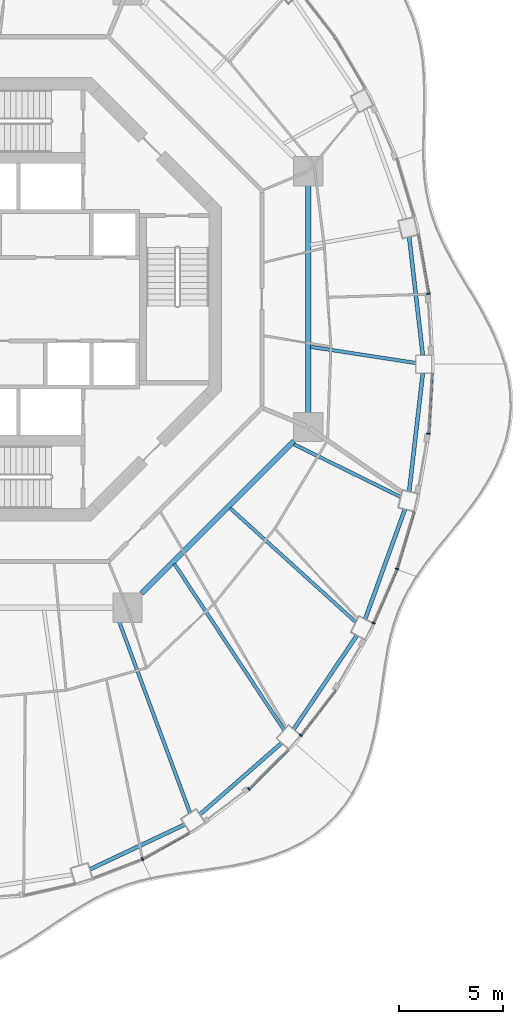
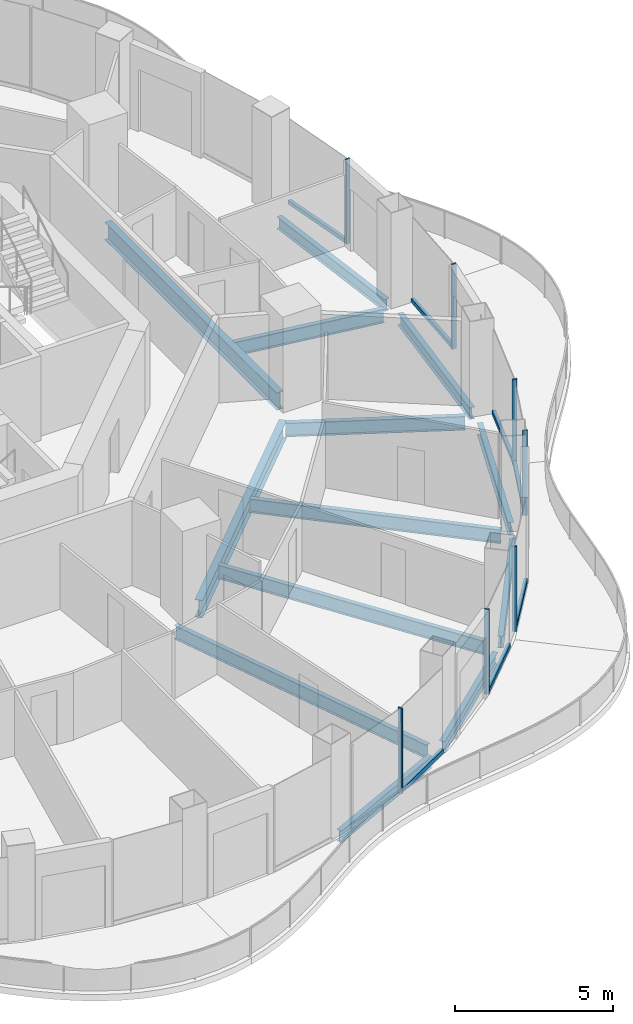
# One storey, part 4 of 17: 14 members, 13 beams, 7 elements without a shape of their own.
"""IFC4 building model written with IfcOpenShell, lengths in metres."""

from ifc_helpers import new_model, si_unit, direction, frame, origin, origin_2d, place, context, subcontext, project, spatial, rectangle, i_section, extrude, material, layer, layer_set, material_profile, profile_set, type_object, element, aggregate, save


model = new_model("IFC4")

# Units and contexts
model_context = context("Model", 3, precision=1e-05, world=origin(), true_north=direction((0.0, 1.0)))
body_context = subcontext(model_context, "Body", "Model", "MODEL_VIEW")
ifc_project = project(units=[si_unit("LENGTHUNIT", "METRE"), si_unit("AREAUNIT", "SQUARE_METRE"), si_unit("VOLUMEUNIT", "CUBIC_METRE"), si_unit("PLANEANGLEUNIT", "RADIAN"), si_unit("MASSUNIT", "GRAM", prefix="KILO")], contexts=[model_context])

# Site, building, storey
site_placement = place(None, origin())
site = spatial("IfcSite", under=ifc_project, at=site_placement, CompositionType="ELEMENT")
building_placement = place(site_placement, origin())
building = spatial("IfcBuilding", under=site, at=building_placement, Name="Nagisa Residences", CompositionType="ELEMENT")
storey_placement = place(building_placement, frame((0.0, 0.0, 295.5)))
storey = spatial("IfcBuildingStorey", under=building, at=storey_placement, Name="L75", CompositionType="ELEMENT", Elevation=295.5)

# Curtain wall, member
ifc_material_1 = material(Name="Concrete-coloured aluminium curtain wall system", Category="concrete")
ifc_layer = layer(ifc_material_1, 0.159912109375)
ifc_layer_set = layer_set([ifc_layer], Name="CW1 CURTAIN WALL")
curtain_wall_type = type_object("IfcCurtainWallType", Name="CW1 CURTAIN WALL", PredefinedType="NOTDEFINED", material=ifc_layer_set)
curtain_wall_1_placement = place(storey_placement, origin())
curtain_wall_1 = element("IfcCurtainWall", 1, at=curtain_wall_1_placement, inside=storey, type_object=curtain_wall_type, Name="cw:CW1:L75:01", PredefinedType="NOTDEFINED")
ifc_material_2 = material(Name="Concrete-coloured aluminium", Category="concrete")
ifc_material_profile_1 = material_profile(ifc_material_2, rectangle(XDim=0.159912109375, YDim=0.06005859375, at=origin_2d()), Name="CW1 MULLION 160x60")
ifc_profile_set_1 = profile_set([ifc_material_profile_1], Name="Concrete-coloured aluminium")
member_type_1 = type_object("IfcMemberType", Name="CW1 MULLION 160x60", PredefinedType="MULLION", material=ifc_profile_set_1)
member_1_placement = place(storey_placement, frame((20.54248046875, 0.2578125, 0.0), z_axis=(0.0, 0.0, 1.0), x_axis=(-0.985063604377, -0.172190868898, 0.0)))
member_1 = element("IfcMember", 2, at=member_1_placement, type_object=member_type_1, Name="CW1 mullion", PredefinedType="MULLION", context=body_context, shape_type="SweptSolid", body=[
    extrude(rectangle(XDim=0.159912109375, YDim=0.06005859375, at=origin_2d()), origin(), (0.0, 0.0, 1.0), 3.280029296875),
])

curtain_wall_2_placement = place(storey_placement, origin())
curtain_wall_2 = element("IfcCurtainWall", 3, at=curtain_wall_2_placement, inside=storey, type_object=curtain_wall_type, Name="cw:CW1:L75:39", PredefinedType="NOTDEFINED")
member_2_placement = place(storey_placement, frame((6.84326171875, -26.81396484375, 0.0), z_axis=(0.0, 0.0, 1.0), x_axis=(-0.489376918501, 0.872072377523, 0.0)))
member_2 = element("IfcMember", 4, at=member_2_placement, type_object=member_type_1, Name="CW1 mullion", PredefinedType="MULLION", context=body_context, shape_type="SweptSolid", body=[
    extrude(rectangle(XDim=0.159912109375, YDim=0.06005859375, at=origin_2d()), origin(), (0.0, 0.0, 1.0), 3.280029296875),
])

curtain_wall_3_placement = place(storey_placement, origin())
curtain_wall_3 = element("IfcCurtainWall", 5, at=curtain_wall_3_placement, inside=storey, type_object=curtain_wall_type, Name="cw:CW1:L75:41", PredefinedType="NOTDEFINED")
member_3_placement = place(storey_placement, frame((11.934814453125, -23.460693359375, 0.0), z_axis=(0.0, 0.0, 1.0), x_axis=(-0.706376885714, 0.707835924016, 0.0)))
member_3 = element("IfcMember", 6, at=member_3_placement, type_object=member_type_1, Name="CW1 mullion", PredefinedType="MULLION", context=body_context, shape_type="SweptSolid", body=[
    extrude(rectangle(XDim=0.159912109375, YDim=0.06005859375, at=origin_2d()), origin(), (0.0, 0.0, 1.0), 3.280029296875),
])

curtain_wall_4_placement = place(storey_placement, origin())
curtain_wall_4 = element("IfcCurtainWall", 7, at=curtain_wall_4_placement, inside=storey, type_object=curtain_wall_type, Name="cw:CW1:L75:42", PredefinedType="NOTDEFINED")
member_4_placement = place(storey_placement, frame((14.42431640625, -20.8896484375, 0.0), z_axis=(0.0, 0.0, 1.0), x_axis=(-0.792070340816, 0.610429828235, 0.0)))
member_4 = element("IfcMember", 8, at=member_4_placement, type_object=member_type_1, Name="CW1 mullion", PredefinedType="MULLION", context=body_context, shape_type="SweptSolid", body=[
    extrude(rectangle(XDim=0.159912109375, YDim=0.06005859375, at=origin_2d()), origin(), (0.0, 0.0, 1.0), 3.280029296875),
])

curtain_wall_5_placement = place(storey_placement, origin())
curtain_wall_5 = element("IfcCurtainWall", 9, at=curtain_wall_5_placement, inside=storey, type_object=curtain_wall_type, Name="cw:CW1:L75:44", PredefinedType="NOTDEFINED")
member_5_placement = place(storey_placement, frame((17.906982421875, -15.515380859375, 0.0), z_axis=(0.0, 0.0, 1.0), x_axis=(-0.917543276295, 0.397635934147, 0.0)))
member_5 = element("IfcMember", 10, at=member_5_placement, type_object=member_type_1, Name="CW1 mullion", PredefinedType="MULLION", context=body_context, shape_type="SweptSolid", body=[
    extrude(rectangle(XDim=0.159912109375, YDim=0.06005859375, at=origin_2d()), origin(), (0.0, 0.0, 1.0), 3.280029296875),
])

curtain_wall_6_placement = place(storey_placement, origin())
curtain_wall_6 = element("IfcCurtainWall", 11, at=curtain_wall_6_placement, inside=storey, type_object=curtain_wall_type, Name="cw:CW1:L75:45", PredefinedType="NOTDEFINED")
member_6_placement = place(storey_placement, frame((19.030029296875, -12.916259765625, 0.0), z_axis=(0.0, 0.0, 1.0), x_axis=(-0.958271310082, 0.285860274038, 0.0)))
member_6 = element("IfcMember", 12, at=member_6_placement, type_object=member_type_1, Name="CW1 mullion", PredefinedType="MULLION", context=body_context, shape_type="SweptSolid", body=[
    extrude(rectangle(XDim=0.159912109375, YDim=0.06005859375, at=origin_2d()), origin(), (0.0, 0.0, 1.0), 3.280029296875),
])

curtain_wall_7_placement = place(storey_placement, origin())
curtain_wall_7 = element("IfcCurtainWall", 13, at=curtain_wall_7_placement, inside=storey, type_object=curtain_wall_type, Name="cw:CW1:L75:47", PredefinedType="NOTDEFINED")
member_7_placement = place(storey_placement, frame((20.54833984375, -6.44287109375, 0.0), z_axis=(0.0, 0.0, 1.0), x_axis=(-0.998345305184, 0.057503492216, 0.0)))
member_7 = element("IfcMember", 14, at=member_7_placement, type_object=member_type_1, Name="CW1 mullion", PredefinedType="MULLION", context=body_context, shape_type="SweptSolid", body=[
    extrude(rectangle(XDim=0.159912109375, YDim=0.06005859375, at=origin_2d()), origin(), (0.0, 0.0, 1.0), 3.280029296875),
])

# Member
ifc_material_3 = material(Name="Concrete-coloured aluminium", Category="concrete")
ifc_material_profile_2 = material_profile(ifc_material_3, rectangle(XDim=0.1201171875, YDim=0.14990234375, at=origin_2d()), Name="CW1 TRANSOM 120x150")
ifc_profile_set_2 = profile_set([ifc_material_profile_2], Name="Concrete-coloured aluminium")
member_type_2 = type_object("IfcMemberType", Name="CW1 TRANSOM 120x150", PredefinedType="USERDEFINED", material=ifc_profile_set_2)
member_8_placement = place(storey_placement, frame((20.547607421875, 0.228271484375, 0.074951171875), z_axis=(-0.172196679668, 0.985062588626, 0.0), x_axis=(-0.985062588626, -0.172196679668, 0.0)))
member_8 = element("IfcMember", 15, at=member_8_placement, type_object=member_type_2, Name="CW1 transom", ObjectType="TRANSOM", PredefinedType="USERDEFINED", context=body_context, shape_type="SweptSolid", body=[
    extrude(rectangle(XDim=0.1201171875, YDim=0.14990234375, at=origin_2d()), origin(), (0.0, 0.0, 1.0), 2.90234375),
])

aggregate(curtain_wall_1, [member_1, member_8])

member_9_placement = place(storey_placement, frame((6.817138671875, -26.82861328125, 0.074951171875), z_axis=(0.872052877201, 0.489411666561, 0.0), x_axis=(-0.489411666561, 0.872052877201, 0.0)))
member_9 = element("IfcMember", 16, at=member_9_placement, type_object=member_type_2, Name="CW1 transom", ObjectType="TRANSOM", PredefinedType="USERDEFINED", context=body_context, shape_type="SweptSolid", body=[
    extrude(rectangle(XDim=0.1201171875, YDim=0.14990234375, at=origin_2d()), origin(), (0.0, 0.0, 1.0), 2.593017578125),
])

aggregate(curtain_wall_2, [member_2, member_9])

member_10_placement = place(storey_placement, frame((11.91357421875, -23.48193359375, 0.074951171875), z_axis=(0.707876975297, 0.706335747251, 0.0), x_axis=(-0.706335747251, 0.707876975297, 0.0)))
member_10 = element("IfcMember", 17, at=member_10_placement, type_object=member_type_2, Name="CW1 transom", ObjectType="TRANSOM", PredefinedType="USERDEFINED", context=body_context, shape_type="SweptSolid", body=[
    extrude(rectangle(XDim=0.1201171875, YDim=0.14990234375, at=origin_2d()), origin(), (0.0, 0.0, 1.0), 2.69287109375),
])

aggregate(curtain_wall_3, [member_3, member_10])

member_11_placement = place(storey_placement, frame((14.406005859375, -20.913330078125, 0.074951171875), z_axis=(0.610432336622, 0.792068407656, 0.0), x_axis=(-0.792068407656, 0.610432336622, 0.0)))
member_11 = element("IfcMember", 18, at=member_11_placement, type_object=member_type_2, Name="CW1 transom", ObjectType="TRANSOM", PredefinedType="USERDEFINED", context=body_context, shape_type="SweptSolid", body=[
    extrude(rectangle(XDim=0.1201171875, YDim=0.14990234375, at=origin_2d()), origin(), (0.0, 0.0, 1.0), 2.74609375),
])

aggregate(curtain_wall_4, [member_4, member_11])

member_12_placement = place(storey_placement, frame((17.89501953125, -15.54296875, 0.074951171875), z_axis=(0.397597791596, 0.9175598052, 0.0), x_axis=(-0.9175598052, 0.397597791596, 0.0)))
member_12 = element("IfcMember", 19, at=member_12_placement, type_object=member_type_2, Name="CW1 transom", ObjectType="TRANSOM", PredefinedType="USERDEFINED", context=body_context, shape_type="SweptSolid", body=[
    extrude(rectangle(XDim=0.1201171875, YDim=0.14990234375, at=origin_2d()), origin(), (0.0, 0.0, 1.0), 2.841064453125),
])

aggregate(curtain_wall_5, [member_5, member_12])

member_13_placement = place(storey_placement, frame((19.021484375, -12.945068359375, 0.074951171875), z_axis=(0.285876209024, 0.9582665564, 0.0), x_axis=(-0.9582665564, 0.285876209024, 0.0)))
member_13 = element("IfcMember", 20, at=member_13_placement, type_object=member_type_2, Name="CW1 transom", ObjectType="TRANSOM", PredefinedType="USERDEFINED", context=body_context, shape_type="SweptSolid", body=[
    extrude(rectangle(XDim=0.1201171875, YDim=0.14990234375, at=origin_2d()), origin(), (0.0, 0.0, 1.0), 2.877197265625),
])

aggregate(curtain_wall_6, [member_6, member_13])

member_14_placement = place(storey_placement, frame((20.546630859375, -6.472900390625, 0.074951171875), z_axis=(0.057529123486, 0.998343828524, 0.0), x_axis=(-0.998343828524, 0.057529123486, 0.0)))
member_14 = element("IfcMember", 21, at=member_14_placement, type_object=member_type_2, Name="CW1 transom", ObjectType="TRANSOM", PredefinedType="USERDEFINED", context=body_context, shape_type="SweptSolid", body=[
    extrude(rectangle(XDim=0.1201171875, YDim=0.14990234375, at=origin_2d()), origin(), (0.0, 0.0, 1.0), 2.91552734375),
])

aggregate(curtain_wall_7, [member_7, member_14])

# Beams
ifc_material_4 = material(Name="Steel ASTM A572 Gr 50", Category="steel")
ifc_material_profile_3 = material_profile(ifc_material_4, i_section(OverallWidth=0.2529296875, OverallDepth=0.677978515625, WebThickness=0.01171875, FlangeThickness=0.016357421875, at=origin_2d()), Name="W690x125")
ifc_profile_set_3 = profile_set([ifc_material_profile_3], Name="Steel ASTM A572 Gr 50")
beam_type_1 = type_object("IfcBeamType", Name="Inner ring beam W690x125", PredefinedType="BEAM", material=ifc_profile_set_3)
beam_1_placement = place(storey_placement, frame((6.808837890625, -14.09619140625, -0.59912109375), z_axis=(0.707106781187, 0.707106781187, 0.0), x_axis=(-0.707106781187, 0.707106781187, 0.0)))
element("IfcBeam", 22, at=beam_1_placement, inside=storey, type_object=beam_type_1, Name="beam:L75:ib7", PredefinedType="BEAM", context=body_context, shape_type="SweptSolid", body=[
    extrude(i_section(OverallWidth=0.2529296875, OverallDepth=0.677978515625, WebThickness=0.01171875, FlangeThickness=0.016357421875, at=origin_2d()), origin(), (0.0, 0.0, 1.0), 10.305908203125),
])
beam_2_placement = place(storey_placement, frame((14.781982421875, -5.44287109375, -0.59912109375), z_axis=(0.0, 1.0, 0.0), x_axis=(-1.0, 0.0, 0.0)))
element("IfcBeam", 23, at=beam_2_placement, inside=storey, type_object=beam_type_1, Name="beam:L75:ib8", PredefinedType="BEAM", context=body_context, shape_type="SweptSolid", body=[
    extrude(i_section(OverallWidth=0.2529296875, OverallDepth=0.677978515625, WebThickness=0.01171875, FlangeThickness=0.016357421875, at=origin_2d()), origin(), (0.0, 0.0, 1.0), 10.8857421875),
])
ifc_material_5 = material(Name="Steel ASTM A572 Gr 50", Category="steel")
ifc_material_profile_4 = material_profile(ifc_material_5, i_section(OverallWidth=0.18994140625, OverallDepth=0.45703125, WebThickness=0.009033203125, FlangeThickness=0.014404296875, at=origin_2d()), Name="W460x74")
ifc_profile_set_4 = profile_set([ifc_material_profile_4], Name="Steel ASTM A572 Gr 50")
beam_type_2 = type_object("IfcBeamType", Name="Perimeter ring beam W460x74", PredefinedType="BEAM", material=ifc_profile_set_4)
beam_3_placement = place(storey_placement, frame((20.270263671875, -2.6875, -0.488525390625), z_axis=(-0.114593271741, 0.993412493414, 0.0), x_axis=(-0.993412493414, -0.114593271741, 0.0)))
element("IfcBeam", 24, at=beam_3_placement, inside=storey, type_object=beam_type_2, Name="beam:L75:pb01", PredefinedType="BEAM", context=body_context, shape_type="SweptSolid", body=[
    extrude(i_section(OverallWidth=0.18994140625, OverallDepth=0.45703125, WebThickness=0.009033203125, FlangeThickness=0.014404296875, at=origin_2d()), origin(), (0.0, 0.0, 1.0), 5.709716796875),
])
beam_4_placement = place(storey_placement, frame((4.318115234375, -27.311767578125, -0.488525390625), z_axis=(0.904115893837, 0.427287316113, 0.0), x_axis=(-0.427287316113, 0.904115893837, 0.0)))
element("IfcBeam", 25, at=beam_4_placement, inside=storey, type_object=beam_type_2, Name="beam:L75:pb20", PredefinedType="BEAM", context=body_context, shape_type="SweptSolid", body=[
    extrude(i_section(OverallWidth=0.18994140625, OverallDepth=0.45703125, WebThickness=0.009033203125, FlangeThickness=0.014404296875, at=origin_2d()), origin(), (0.0, 0.0, 1.0), 5.031494140625),
])
beam_5_placement = place(storey_placement, frame((9.586669921875, -24.690185546875, -0.488525390625), z_axis=(0.752385480596, 0.658723074279, 0.0), x_axis=(-0.658723074279, 0.752385480596, 0.0)))
element("IfcBeam", 26, at=beam_5_placement, inside=storey, type_object=beam_type_2, Name="beam:L75:pb21", PredefinedType="BEAM", context=body_context, shape_type="SweptSolid", body=[
    extrude(i_section(OverallWidth=0.18994140625, OverallDepth=0.45703125, WebThickness=0.009033203125, FlangeThickness=0.014404296875, at=origin_2d()), origin(), (0.0, 0.0, 1.0), 5.220947265625),
])
beam_6_placement = place(storey_placement, frame((14.083251953125, -20.605224609375, -0.488525390625), z_axis=(0.558045612854, 0.829810275891, 0.0), x_axis=(-0.829810275891, 0.558045612854, 0.0)))
element("IfcBeam", 27, at=beam_6_placement, inside=storey, type_object=beam_type_2, Name="beam:L75:pb22", PredefinedType="BEAM", context=body_context, shape_type="SweptSolid", body=[
    extrude(i_section(OverallWidth=0.18994140625, OverallDepth=0.45703125, WebThickness=0.009033203125, FlangeThickness=0.014404296875, at=origin_2d()), origin(), (0.0, 0.0, 1.0), 5.432373046875),
])
beam_7_placement = place(storey_placement, frame((17.50439453125, -15.330322265625, -0.488525390625), z_axis=(0.341211850477, 0.93998642176, 0.0), x_axis=(-0.93998642176, 0.341211850477, 0.0)))
element("IfcBeam", 28, at=beam_7_placement, inside=storey, type_object=beam_type_2, Name="beam:L75:pb23", PredefinedType="BEAM", context=body_context, shape_type="SweptSolid", body=[
    extrude(i_section(OverallWidth=0.18994140625, OverallDepth=0.45703125, WebThickness=0.009033203125, FlangeThickness=0.014404296875, at=origin_2d()), origin(), (0.0, 0.0, 1.0), 5.609619140625),
])
beam_8_placement = place(storey_placement, frame((19.615966796875, -9.219970703125, -0.488525390625), z_axis=(0.114593271741, 0.993412493414, 0.0), x_axis=(-0.993412493414, 0.114593271741, 0.0)))
element("IfcBeam", 29, at=beam_8_placement, inside=storey, type_object=beam_type_2, Name="beam:L75:pb24", PredefinedType="BEAM", context=body_context, shape_type="SweptSolid", body=[
    extrude(i_section(OverallWidth=0.18994140625, OverallDepth=0.45703125, WebThickness=0.009033203125, FlangeThickness=0.014404296875, at=origin_2d()), origin(), (0.0, 0.0, 1.0), 5.709716796875),
])
ifc_material_6 = material(Name="Steel ASTM A572 Gr 50", Category="steel")
ifc_material_profile_5 = material_profile(ifc_material_6, i_section(OverallWidth=0.166015625, OverallDepth=0.534912109375, WebThickness=0.01025390625, FlangeThickness=0.0166015625, at=origin_2d()), Name="W530x85")
ifc_profile_set_5 = profile_set([ifc_material_profile_5], Name="Steel ASTM A572 Gr 50")
beam_type_3 = type_object("IfcBeamType", Name="Radial beam W530x85", PredefinedType="BEAM", material=ifc_profile_set_5)
beam_9_placement = place(storey_placement, frame((19.939697265625, -3.059326171875, -0.527587890625), z_axis=(-0.988434580655, 0.151647880849, 0.0), x_axis=(-0.151647880849, -0.988434580655, 0.0)))
element("IfcBeam", 30, at=beam_9_placement, inside=storey, type_object=beam_type_3, Name="beam:L75:rb01", PredefinedType="BEAM", context=body_context, shape_type="SweptSolid", body=[
    extrude(i_section(OverallWidth=0.166015625, OverallDepth=0.534912109375, WebThickness=0.01025390625, FlangeThickness=0.0166015625, at=origin_2d()), origin(), (0.0, 0.0, 1.0), 5.10986328125),
])
beam_10_placement = place(storey_placement, frame((9.124267578125, -24.610107421875, -0.527587890625), z_axis=(-0.347626513472, 0.93763308769, 0.0), x_axis=(-0.93763308769, -0.347626513472, 0.0)))
element("IfcBeam", 31, at=beam_10_placement, inside=storey, type_object=beam_type_3, Name="beam:L75:rb21", PredefinedType="BEAM", context=body_context, shape_type="SweptSolid", body=[
    extrude(i_section(OverallWidth=0.166015625, OverallDepth=0.534912109375, WebThickness=0.01025390625, FlangeThickness=0.0166015625, at=origin_2d()), origin(), (0.0, 0.0, 1.0), 10.36669921875),
])
beam_11_placement = place(storey_placement, frame((13.623779296875, -20.6357421875, -0.527587890625), z_axis=(-0.550958197916, 0.834532841864, 0.0), x_axis=(-0.834532841864, -0.550958197916, 0.0)))
element("IfcBeam", 32, at=beam_11_placement, inside=storey, type_object=beam_type_3, Name="beam:L75:rb22", PredefinedType="BEAM", context=body_context, shape_type="SweptSolid", body=[
    extrude(i_section(OverallWidth=0.166015625, OverallDepth=0.534912109375, WebThickness=0.01025390625, FlangeThickness=0.0166015625, at=origin_2d()), origin(), (0.0, 0.0, 1.0), 9.52978515625),
])
beam_12_placement = place(storey_placement, frame((17.064208984375, -15.47265625, -0.527587890625), z_axis=(-0.740818788558, 0.671704937096, 0.0), x_axis=(-0.671704937096, -0.740818788558, 0.0)))
element("IfcBeam", 33, at=beam_12_placement, inside=storey, type_object=beam_type_3, Name="beam:L75:rb23", PredefinedType="BEAM", context=body_context, shape_type="SweptSolid", body=[
    extrude(i_section(OverallWidth=0.166015625, OverallDepth=0.534912109375, WebThickness=0.01025390625, FlangeThickness=0.0166015625, at=origin_2d()), origin(), (0.0, 0.0, 1.0), 8.128173828125),
])
beam_13_placement = place(storey_placement, frame((19.216064453125, -9.4775390625, -0.527587890625), z_axis=(-0.896862727732, 0.442308995618, 0.0), x_axis=(-0.442308995618, -0.896862727732, 0.0)))
element("IfcBeam", 34, at=beam_13_placement, inside=storey, type_object=beam_type_3, Name="beam:L75:rb24", PredefinedType="BEAM", context=body_context, shape_type="SweptSolid", body=[
    extrude(i_section(OverallWidth=0.166015625, OverallDepth=0.534912109375, WebThickness=0.01025390625, FlangeThickness=0.0166015625, at=origin_2d()), origin(), (0.0, 0.0, 1.0), 5.702392578125),
])

save(model, "model.ifc")
